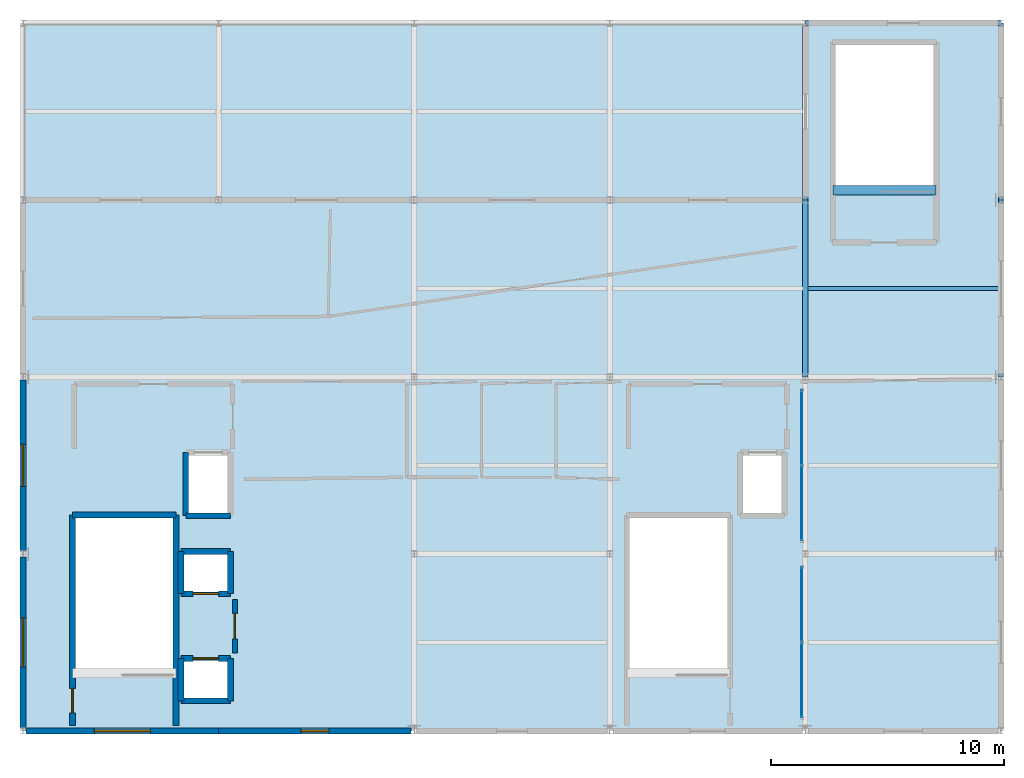
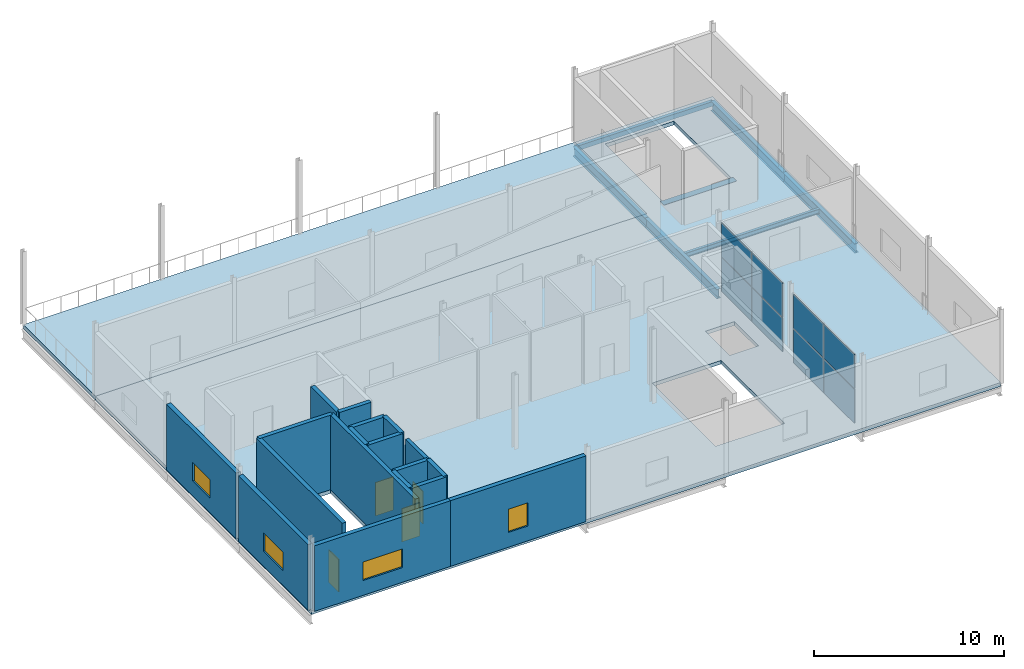
# One storey, part 5 of 8: 18 walls, 8 plates, 7 beams, 4 doors, 4 windows, 2 slabs, 8 openings, 2 elements without a shape of their own.
"""IFC4 building model written with IfcOpenShell, lengths in metres."""

import ifcopenshell
import ifcopenshell.guid

model = None  # the IFC model being written
_history = None  # IfcOwnerHistory: only IFC2X3 demands one
_inside = {}  # id of a spatial element -> (the spatial element, [elements in it])
_under = {}  # id of a project, library or spatial element -> (it, [spatial elements below it])
_declared = {}  # id of a project -> (the project, [libraries it declares])
_typed = {}  # id of a type object -> (the type object, [elements of that type])
_made_of = {}  # id of a material, layer set ... -> (it, [elements and type objects made of it])


def new_model(schema):
    """Start an empty IFC model of exactly this schema.

    Asked for "IFC4X3", IfcOpenShell would pick the latest addendum, in which some entities
    have other attributes; the version numbers below select the first issue.
    IFC2X3 requires an IfcOwnerHistory on every rooted entity: one is made here for all.
    """
    global model, _history
    if schema == "IFC4X3":
        model = ifcopenshell.file(schema_version=(4, 3, 0, 0))
    else:
        model = ifcopenshell.file(schema=schema)
    _inside.clear()
    _under.clear()
    _declared.clear()
    _typed.clear()
    _made_of.clear()
    _history = None
    if model.schema == "IFC2X3":
        org = make("IfcOrganization", Name="unknown")
        user = make(
            "IfcPersonAndOrganization",
            ThePerson=make("IfcPerson", FamilyName="unknown"),
            TheOrganization=org,
        )
        app = make(
            "IfcApplication",
            ApplicationDeveloper=org,
            Version="unknown",
            ApplicationFullName="unknown",
            ApplicationIdentifier="unknown",
        )
        _history = make(
            "IfcOwnerHistory",
            OwningUser=user,
            OwningApplication=app,
            ChangeAction="ADDED",
            CreationDate=0,
        )
    return model


def make(cls, **values):
    """One entity of the class cls with the attributes given. An attribute that is None is left unset."""
    return model.create_entity(
        cls, **{name: value for name, value in values.items() if value is not None}
    )


def rooted(cls, **values):
    """An entity with a GlobalId (a new one), such as an element, a storey or a relation."""
    return make(cls, GlobalId=ifcopenshell.guid.new(), OwnerHistory=_history, **values)


def si_unit(unit_type, name, prefix=None):
    """IfcSIUnit, for example si_unit("LENGTHUNIT", "METRE", prefix="MILLI")."""
    return make("IfcSIUnit", UnitType=unit_type, Prefix=prefix, Name=name)


def assignment(units):
    """IfcUnitAssignment: the units of a project."""
    return None if units is None else make("IfcUnitAssignment", Units=units)


def point(xyz):
    """IfcCartesianPoint."""
    return None if xyz is None else make("IfcCartesianPoint", Coordinates=xyz)


def direction(xyz):
    """IfcDirection."""
    return None if xyz is None else make("IfcDirection", DirectionRatios=xyz)


def frame(location, z_axis=None, x_axis=None):
    """IfcAxis2Placement3D, a coordinate frame: its origin and axes. An axis left out is left unset."""
    return make(
        "IfcAxis2Placement3D",
        Location=point(location),
        Axis=direction(z_axis),
        RefDirection=direction(x_axis),
    )


def frame_2d(location, x_axis=None):
    """IfcAxis2Placement2D, a coordinate frame in the plane: its origin and x axis."""
    return make(
        "IfcAxis2Placement2D", Location=point(location), RefDirection=direction(x_axis)
    )


def origin():
    """The frame at (0, 0, 0) with its axes left unset."""
    return frame((0.0, 0.0, 0.0))


def origin_2d():
    """The frame at (0, 0) in the plane with its x axis left unset."""
    return frame_2d((0.0, 0.0))


def place(relative_to, where):
    """IfcLocalPlacement: puts the frame where relative to a parent placement (None: the world)."""
    return make(
        "IfcLocalPlacement", PlacementRelTo=relative_to, RelativePlacement=where
    )


def context(
    kind, dimensions, precision=None, world=None, true_north=None, identifier=None
):
    """IfcGeometricRepresentationContext, for example the 3D "Model" context."""
    return make(
        "IfcGeometricRepresentationContext",
        ContextIdentifier=identifier,
        ContextType=kind,
        CoordinateSpaceDimension=dimensions,
        Precision=precision,
        WorldCoordinateSystem=world,
        TrueNorth=true_north,
    )


def subcontext(parent, identifier, kind, view, scale=None):
    """IfcGeometricRepresentationSubContext, for example "Body" below "Model"."""
    return make(
        "IfcGeometricRepresentationSubContext",
        ContextIdentifier=identifier,
        ContextType=kind,
        ParentContext=parent,
        TargetScale=scale,
        TargetView=view,
    )


def project(units=None, contexts=None):
    """IfcProject with its units and contexts."""
    return rooted(
        "IfcProject",
        Name="project",
        RepresentationContexts=contexts,
        UnitsInContext=assignment(units),
    )


def spatial(cls, under=None, at=None, **own):
    """A site, building, storey or space (cls), placed at a placement, below another one or the project."""
    s = rooted(cls, ObjectPlacement=at, **own)
    if under is not None:
        _under.setdefault(under.id(), (under, []))[1].append(s)
    return s


def polyline(points):
    """IfcPolyline through the points."""
    return make("IfcPolyline", Points=[point(p) for p in points])


def profile(cls, at=None, kind="AREA", **sizes):
    """A parametric profile (cls). Its sizes go by their IFC names, for example OverallWidth=200.0."""
    return make(cls, ProfileType=kind, Position=at, **sizes)


def rectangle(**sizes):
    """IfcRectangleProfileDef."""
    return profile("IfcRectangleProfileDef", **sizes)


def hollow_rectangle(**sizes):
    """IfcRectangleHollowProfileDef."""
    return profile("IfcRectangleHollowProfileDef", **sizes)


def i_section(**sizes):
    """IfcIShapeProfileDef."""
    return profile("IfcIShapeProfileDef", **sizes)


def outline(outer, holes=None, kind="AREA"):
    """IfcArbitraryClosedProfileDef: a profile drawn as a closed curve; with holes, ...WithVoids."""
    if holes is None:
        return make("IfcArbitraryClosedProfileDef", ProfileType=kind, OuterCurve=outer)
    return make(
        "IfcArbitraryProfileDefWithVoids",
        ProfileType=kind,
        OuterCurve=outer,
        InnerCurves=holes,
    )


def extrude(swept, where, along, depth):
    """IfcExtrudedAreaSolid: the profile swept, set in the frame where, extruded along a direction by depth."""
    return make(
        "IfcExtrudedAreaSolid",
        SweptArea=swept,
        Position=where,
        ExtrudedDirection=direction(along),
        Depth=depth,
    )


def shape(context_of_items, identifier, shape_type, items):
    """IfcShapeRepresentation: the items that make up one representation, for example the "Body"."""
    return make(
        "IfcShapeRepresentation",
        ContextOfItems=context_of_items,
        RepresentationIdentifier=identifier,
        RepresentationType=shape_type,
        Items=items,
    )


def material(Name=None, Category=None):
    """IfcMaterial."""
    return make("IfcMaterial", Name=Name, Category=Category)


def layer(
    of_material, thickness, ventilated=None, Name=None, Category=None, Priority=None
):
    """IfcMaterialLayer: one layer of a wall or slab, of a material (None: an air gap)."""
    return make(
        "IfcMaterialLayer",
        Material=of_material,
        LayerThickness=thickness,
        IsVentilated=ventilated,
        Name=Name,
        Category=Category,
        Priority=Priority,
    )


def layer_set(layers, Name=None):
    """IfcMaterialLayerSet."""
    return make("IfcMaterialLayerSet", MaterialLayers=layers, LayerSetName=Name)


def material_profile(
    of_material, cross_section, Name=None, Category=None, Priority=None
):
    """IfcMaterialProfile: a cross section and its material."""
    return make(
        "IfcMaterialProfile",
        Name=Name,
        Material=of_material,
        Profile=cross_section,
        Priority=Priority,
        Category=Category,
    )


def profile_set(profiles, Name=None, composite=None):
    """IfcMaterialProfileSet."""
    return make(
        "IfcMaterialProfileSet",
        Name=Name,
        MaterialProfiles=profiles,
        CompositeProfile=composite,
    )


def made_of(thing, what):
    """Note that an element or type object is made of a material, layer set ...; save() writes the relation."""
    if what is not None:
        _made_of.setdefault(what.id(), (what, []))[1].append(thing)
    return thing


def type_object(cls, material=None, **own):
    """A type object (cls), such as IfcWallType, which elements share."""
    return made_of(rooted(cls, **own), material)


def element(
    cls,
    number,
    at=None,
    inside=None,
    cuts=None,
    type_object=None,
    material=None,
    context=None,
    identifier="Body",
    shape_type=None,
    held_by="IfcProductDefinitionShape",
    body=None,
    shapes=None,
    **own,
):
    """One element of the class cls, such as IfcWall. Its Tag is "e" and its number.

    at: its placement. inside: the storey or other place that contains it. cuts: it is an
    opening in that element (IfcRelVoidsElement). A single representation is given by context,
    identifier, shape_type and body (its items); several are given by shapes. held_by: the class
    of the entity that holds the representations. save() writes the other relations.
    """
    e = rooted(cls, Tag="e%d" % number, ObjectPlacement=at, **own)
    if body is not None:
        shapes = [shape(context, identifier, shape_type, body)]
    if shapes is not None:
        e.Representation = make(held_by, Representations=shapes)
    if inside is not None:
        _inside.setdefault(inside.id(), (inside, []))[1].append(e)
    if cuts is not None:
        rooted(
            "IfcRelVoidsElement", RelatingBuildingElement=cuts, RelatedOpeningElement=e
        )
    if type_object is not None:
        _typed.setdefault(type_object.id(), (type_object, []))[1].append(e)
    return made_of(e, material)


def fill(opening, filler):
    """IfcRelFillsElement: the door or window that sits in an opening."""
    return rooted(
        "IfcRelFillsElement",
        RelatingOpeningElement=opening,
        RelatedBuildingElement=filler,
    )


def aggregate(whole, parts):
    """IfcRelAggregates: a whole, such as a stair, and the parts it consists of."""
    return rooted("IfcRelAggregates", RelatingObject=whole, RelatedObjects=parts)


def save(model, path):
    """Write the relations noted so far, then the file.

    IfcRelAggregates (storeys below a building ...), IfcRelContainedInSpatialStructure (elements
    in a storey), IfcRelDefinesByType, IfcRelAssociatesMaterial and IfcRelDeclares: one each for
    every whole, place, type object, material and project.
    """
    for whole, parts in _under.values():
        aggregate(whole, parts)
    for where, things in _inside.values():
        rooted(
            "IfcRelContainedInSpatialStructure",
            RelatedElements=things,
            RelatingStructure=where,
        )
    for kind, things in _typed.values():
        rooted("IfcRelDefinesByType", RelatedObjects=things, RelatingType=kind)
    for what, things in _made_of.values():
        rooted("IfcRelAssociatesMaterial", RelatedObjects=things, RelatingMaterial=what)
    for by, libraries in _declared.values():
        rooted("IfcRelDeclares", RelatingContext=by, RelatedDefinitions=libraries)
    model.write(path)


model = new_model("IFC4")

# Units and contexts
model_context = context("Model", 3, precision=1e-05, world=origin(), true_north=direction((0.0, 1.0)))
body_context = subcontext(model_context, "Body", "Model", "MODEL_VIEW")
ifc_project = project(units=[si_unit("LENGTHUNIT", "METRE"), si_unit("AREAUNIT", "SQUARE_METRE"), si_unit("VOLUMEUNIT", "CUBIC_METRE"), si_unit("PLANEANGLEUNIT", "RADIAN"), si_unit("MASSUNIT", "GRAM", prefix="KILO")], contexts=[model_context])

# Site, building, storey
site_placement = place(None, origin())
site = spatial("IfcSite", under=ifc_project, at=site_placement, CompositionType="ELEMENT")
building_placement = place(site_placement, origin())
building = spatial("IfcBuilding", under=site, at=building_placement, Name="Zuvorla Pavilion Media Centre", CompositionType="ELEMENT")
storey_placement = place(building_placement, frame((0.0, 0.0, 26.39990234375)))
storey = spatial("IfcBuildingStorey", under=building, at=storey_placement, Name="L06", CompositionType="ELEMENT", Elevation=26.39990234375)

# Beams
ifc_material_1 = material(Name="Concrete C40/50", Category="concrete")
ifc_material_profile_1 = material_profile(ifc_material_1, rectangle(XDim=0.39990234375, YDim=0.64990234375, at=origin_2d()), Name="RC 400x650")
ifc_profile_set_1 = profile_set([ifc_material_profile_1], Name="Concrete C40/50")
beam_type_1 = type_object("IfcBeamType", Name="BM-RC-650", PredefinedType="BEAM", material=ifc_profile_set_1)
beam_1_placement = place(storey_placement, frame((101.580078125, 29.219970703125, -0.323974609375), z_axis=(1.0, 0.0, 0.0), x_axis=(0.0, 1.0, 0.0)))
element("IfcBeam", 1, at=beam_1_placement, inside=storey, type_object=beam_type_1, Name="L06 ST-04 arrival trimmer beam", PredefinedType="BEAM", context=body_context, shape_type="SweptSolid", body=[
    extrude(rectangle(XDim=0.39990234375, YDim=0.64990234375, at=origin_2d()), origin(), (0.0, 0.0, 1.0), 4.43994140625),
])
ifc_material_2 = material(Name="Steel S355", Category="steel")
ifc_material_profile_2 = material_profile(ifc_material_2, hollow_rectangle(XDim=0.199951171875, YDim=0.300048828125, WallThickness=0.012451171875, at=origin_2d()), Name="RHS 300x200x12.5")
ifc_profile_set_2 = profile_set([ifc_material_profile_2], Name="Steel S355")
beam_type_2 = type_object("IfcBeamType", Name="BM-SP-RHS300", PredefinedType="SPANDREL", material=ifc_profile_set_2)
beam_2_placement = place(storey_placement, frame((100.39990234375, 36.39990234375, -0.39794921875), z_axis=(1.0, 0.0, 0.0), x_axis=(0.0, 1.0, 0.0)))
element("IfcBeam", 2, at=beam_2_placement, inside=storey, type_object=beam_type_2, Name="L06 spandrel SP01 1624", PredefinedType="SPANDREL", context=body_context, shape_type="SweptSolid", body=[
    extrude(hollow_rectangle(XDim=0.199951171875, YDim=0.300048828125, WallThickness=0.012451171875, at=origin_2d()), origin(), (0.0, 0.0, 1.0), 8.400146484375),
])
ifc_material_profile_3 = material_profile(ifc_material_2, i_section(OverallWidth=0.165771484375, OverallDepth=0.306640625, WebThickness=0.006591796875, FlangeThickness=0.01171875, FilletRadius=0.0087890625, at=origin_2d()), Name="UB 305x165x46")
ifc_profile_set_3 = profile_set([ifc_material_profile_3], Name="Steel S355")
beam_type_3 = type_object("IfcBeamType", Name="BM-UB305", PredefinedType="JOIST", material=ifc_profile_set_3)
beam_3_placement = place(storey_placement, frame((100.509521484375, 25.0, -0.401123046875), z_axis=(1.0, 0.0, 0.0), x_axis=(0.0, 1.0, 0.0)))
element("IfcBeam", 3, at=beam_3_placement, inside=storey, type_object=beam_type_3, Name="L06 joist J04 1656", PredefinedType="JOIST", context=body_context, shape_type="SweptSolid", body=[
    extrude(i_section(OverallWidth=0.165771484375, OverallDepth=0.306640625, WebThickness=0.006591796875, FlangeThickness=0.01171875, FilletRadius=0.0087890625, at=origin_2d()), origin(), (0.0, 0.0, 1.0), 8.180908203125),
])
ifc_material_profile_4 = material_profile(ifc_material_2, i_section(OverallWidth=0.22900390625, OverallDepth=0.6123046875, WebThickness=0.011962890625, FlangeThickness=0.01953125, FilletRadius=0.0126953125, at=origin_2d()), Name="UB 610x229x125")
ifc_profile_set_4 = profile_set([ifc_material_profile_4], Name="Steel S355")
beam_type_4 = type_object("IfcBeamType", Name="BM-UB610", PredefinedType="BEAM", material=ifc_profile_set_4)
beam_4_placement = place(storey_placement, frame((100.39990234375, 21.199951171875, -0.553955078125), z_axis=(0.0, 1.0, 0.0), x_axis=(-1.0, 0.0, 0.0)))
element("IfcBeam", 4, at=beam_4_placement, inside=storey, type_object=beam_type_4, Name="L06 beam B07 1640", PredefinedType="BEAM", context=body_context, shape_type="SweptSolid", body=[
    extrude(i_section(OverallWidth=0.22900390625, OverallDepth=0.6123046875, WebThickness=0.011962890625, FlangeThickness=0.01953125, FilletRadius=0.0126953125, at=origin_2d()), origin(), (0.0, 0.0, 1.0), 7.60009765625),
])
beam_5_placement = place(storey_placement, frame((100.39990234375, 28.800048828125, -0.553955078125), z_axis=(0.0, 1.0, 0.0), x_axis=(-1.0, 0.0, 0.0)))
element("IfcBeam", 5, at=beam_5_placement, inside=storey, type_object=beam_type_4, Name="L06 beam B07 1641", PredefinedType="BEAM", context=body_context, shape_type="SweptSolid", body=[
    extrude(i_section(OverallWidth=0.22900390625, OverallDepth=0.6123046875, WebThickness=0.011962890625, FlangeThickness=0.01953125, FilletRadius=0.0126953125, at=origin_2d()), origin(), (0.0, 0.0, 1.0), 7.599853515625),
])
beam_6_placement = place(storey_placement, frame((108.800048828125, 21.199951171875, -0.553955078125), z_axis=(0.0, 1.0, 0.0), x_axis=(-1.0, 0.0, 0.0)))
element("IfcBeam", 6, at=beam_6_placement, inside=storey, type_object=beam_type_4, Name="L06 beam B07 1644", PredefinedType="BEAM", context=body_context, shape_type="SweptSolid", body=[
    extrude(i_section(OverallWidth=0.22900390625, OverallDepth=0.6123046875, WebThickness=0.011962890625, FlangeThickness=0.01953125, FilletRadius=0.0126953125, at=origin_2d()), origin(), (0.0, 0.0, 1.0), 7.60009765625),
])
beam_7_placement = place(storey_placement, frame((108.800048828125, 28.800048828125, -0.553955078125), z_axis=(0.0, 1.0, 0.0), x_axis=(-1.0, 0.0, 0.0)))
element("IfcBeam", 7, at=beam_7_placement, inside=storey, type_object=beam_type_4, Name="L06 beam B07 1645", PredefinedType="BEAM", context=body_context, shape_type="SweptSolid", body=[
    extrude(i_section(OverallWidth=0.22900390625, OverallDepth=0.6123046875, WebThickness=0.011962890625, FlangeThickness=0.01953125, FilletRadius=0.0126953125, at=origin_2d()), origin(), (0.0, 0.0, 1.0), 7.599853515625),
])

# Curtain wall, plates
ifc_material_3 = material(Name="Unitised anodised aluminium and solar glass curtain wall", Category="aluminium")
curtain_wall_type = type_object("IfcCurtainWallType", Name="CW-SYS-87", PredefinedType="USERDEFINED", material=ifc_material_3)
curtain_wall_1_placement = place(storey_placement, origin())
curtain_wall_1 = element("IfcCurtainWall", 8, at=curtain_wall_1_placement, inside=storey, type_object=curtain_wall_type, Name="L06 curtain wall CW87 198", ObjectType="CURTAIN WALL", PredefinedType="USERDEFINED")
ifc_material_4 = material(Name="Triple acoustic broadcast glazing", Category="glass")
ifc_layer_1 = layer(ifc_material_4, 0.0419921875)
ifc_layer_set_1 = layer_set([ifc_layer_1], Name="Triple acoustic broadcast glazing")
plate_type = type_object("IfcPlateType", Name="CW-PNL-42", PredefinedType="CURTAIN_PANEL", material=ifc_layer_set_1)
plate_1_placement = place(storey_placement, frame((100.239990234375, 8.174560546875, 0.0302734375), z_axis=(0.0, 0.0, 1.0), x_axis=(0.0, 1.0, 0.0)))
plate_1 = element("IfcPlate", 9, at=plate_1_placement, type_object=plate_type, Name="CW87 panel 1.1", PredefinedType="CURTAIN_PANEL", context=body_context, shape_type="SweptSolid", body=[
    extrude(rectangle(XDim=3.19091796875, YDim=0.0419921875, at=origin_2d()), origin(), (0.0, 0.0, 1.0), 2.179931640625),
])
plate_2_placement = place(storey_placement, frame((100.239990234375, 8.174560546875, 2.27001953125), z_axis=(0.0, 0.0, 1.0), x_axis=(0.0, 1.0, 0.0)))
plate_2 = element("IfcPlate", 10, at=plate_2_placement, type_object=plate_type, Name="CW87 panel 1.2", PredefinedType="CURTAIN_PANEL", context=body_context, shape_type="SweptSolid", body=[
    extrude(rectangle(XDim=3.19091796875, YDim=0.0419921875, at=origin_2d()), origin(), (0.0, 0.0, 1.0), 2.179931640625),
])
plate_3_placement = place(storey_placement, frame((100.239990234375, 11.425537109375, 0.0302734375), z_axis=(0.0, 0.0, 1.0), x_axis=(0.0, 1.0, 0.0)))
plate_3 = element("IfcPlate", 11, at=plate_3_placement, type_object=plate_type, Name="CW87 panel 2.1", PredefinedType="CURTAIN_PANEL", context=body_context, shape_type="SweptSolid", body=[
    extrude(rectangle(XDim=3.19091796875, YDim=0.0419921875, at=origin_2d()), origin(), (0.0, 0.0, 1.0), 2.179931640625),
])
plate_4_placement = place(storey_placement, frame((100.239990234375, 11.425537109375, 2.27001953125), z_axis=(0.0, 0.0, 1.0), x_axis=(0.0, 1.0, 0.0)))
plate_4 = element("IfcPlate", 12, at=plate_4_placement, type_object=plate_type, Name="CW87 panel 2.2", PredefinedType="CURTAIN_PANEL", context=body_context, shape_type="SweptSolid", body=[
    extrude(rectangle(XDim=3.19091796875, YDim=0.0419921875, at=origin_2d()), origin(), (0.0, 0.0, 1.0), 2.179931640625),
])
aggregate(curtain_wall_1, [plate_1, plate_2, plate_3, plate_4])

curtain_wall_2_placement = place(storey_placement, origin())
curtain_wall_2 = element("IfcCurtainWall", 13, at=curtain_wall_2_placement, inside=storey, type_object=curtain_wall_type, Name="L06 curtain wall CW87 199", ObjectType="CURTAIN WALL", PredefinedType="USERDEFINED")
plate_5_placement = place(storey_placement, frame((100.239990234375, 15.7744140625, 0.0302734375), z_axis=(0.0, 0.0, 1.0), x_axis=(0.0, 1.0, 0.0)))
plate_5 = element("IfcPlate", 14, at=plate_5_placement, type_object=plate_type, Name="CW87 panel 1.1", PredefinedType="CURTAIN_PANEL", context=body_context, shape_type="SweptSolid", body=[
    extrude(rectangle(XDim=3.19091796875, YDim=0.0419921875, at=origin_2d()), origin(), (0.0, 0.0, 1.0), 2.179931640625),
])
plate_6_placement = place(storey_placement, frame((100.239990234375, 15.7744140625, 2.27001953125), z_axis=(0.0, 0.0, 1.0), x_axis=(0.0, 1.0, 0.0)))
plate_6 = element("IfcPlate", 15, at=plate_6_placement, type_object=plate_type, Name="CW87 panel 1.2", PredefinedType="CURTAIN_PANEL", context=body_context, shape_type="SweptSolid", body=[
    extrude(rectangle(XDim=3.19091796875, YDim=0.0419921875, at=origin_2d()), origin(), (0.0, 0.0, 1.0), 2.179931640625),
])
plate_7_placement = place(storey_placement, frame((100.239990234375, 19.025390625, 0.0302734375), z_axis=(0.0, 0.0, 1.0), x_axis=(0.0, 1.0, 0.0)))
plate_7 = element("IfcPlate", 16, at=plate_7_placement, type_object=plate_type, Name="CW87 panel 2.1", PredefinedType="CURTAIN_PANEL", context=body_context, shape_type="SweptSolid", body=[
    extrude(rectangle(XDim=3.19091796875, YDim=0.0419921875, at=origin_2d()), origin(), (0.0, 0.0, 1.0), 2.179931640625),
])
plate_8_placement = place(storey_placement, frame((100.239990234375, 19.025390625, 2.27001953125), z_axis=(0.0, 0.0, 1.0), x_axis=(0.0, 1.0, 0.0)))
plate_8 = element("IfcPlate", 17, at=plate_8_placement, type_object=plate_type, Name="CW87 panel 2.2", PredefinedType="CURTAIN_PANEL", context=body_context, shape_type="SweptSolid", body=[
    extrude(rectangle(XDim=3.19091796875, YDim=0.0419921875, at=origin_2d()), origin(), (0.0, 0.0, 1.0), 2.179931640625),
])
aggregate(curtain_wall_2, [plate_5, plate_6, plate_7, plate_8])

# Slabs
ifc_material_5 = material(Name="Precast concrete C40/50", Category="concrete")
ifc_layer_2 = layer(ifc_material_5, 0.239990234375)
ifc_layer_set_2 = layer_set([ifc_layer_2], Name="Precast concrete C40/50")
slab_type_1 = type_object("IfcSlabType", Name="SLB-DECK-240", PredefinedType="FLOOR", material=ifc_layer_set_2)
slab_1_placement = place(storey_placement, frame((0.0, 0.0, -0.239990234375)))
element("IfcSlab", 18, at=slab_1_placement, inside=storey, type_object=slab_type_1, Name="L06 floor slab TERR", PredefinedType="FLOOR", context=body_context, shape_type="SweptSolid", body=[
    extrude(outline(polyline([(100.39990234375, 28.800048828125), (100.39990234375, 36.39990234375), (66.800048828125, 36.39990234375), (66.800048828125, 28.800048828125), (100.39990234375, 28.800048828125)])), origin(), (0.0, 0.0, 1.0), 0.239990234375),
])
ifc_material_6 = material(Name="Concrete C32/40", Category="concrete")
ifc_layer_3 = layer(ifc_material_6, 0.239990234375)
ifc_layer_set_3 = layer_set([ifc_layer_3], Name="Concrete C32/40")
slab_type_2 = type_object("IfcSlabType", Name="SLB-FLR-240", PredefinedType="FLOOR", material=ifc_layer_set_3)
slab_2_placement = place(storey_placement, frame((0.0, 0.0, -0.239990234375)))
element("IfcSlab", 19, at=slab_2_placement, inside=storey, type_object=slab_type_2, Name="L06 floor slab PAV", PredefinedType="FLOOR", context=body_context, shape_type="SweptSolid", body=[
    extrude(outline(polyline([(108.800048828125, 6.0), (66.800048828125, 6.0), (66.800048828125, 28.800048828125), (100.39990234375, 28.800048828125), (100.39990234375, 36.39990234375), (108.800048828125, 36.39990234375), (108.800048828125, 6.0)]), holes=[polyline([(73.669921875, 7.3701171875), (75.6298828125, 7.3701171875), (75.6298828125, 9.030029296875), (73.669921875, 9.030029296875), (73.669921875, 7.3701171875)]), polyline([(69.050048828125, 15.14990234375), (69.050048828125, 8.449951171875), (73.25, 8.449951171875), (73.25, 15.14990234375), (69.050048828125, 15.14990234375)]), polyline([(92.85009765625, 15.14990234375), (92.85009765625, 8.449951171875), (97.050048828125, 8.449951171875), (97.050048828125, 15.14990234375), (92.85009765625, 15.14990234375)]), polyline([(73.669921875, 13.6298828125), (73.669921875, 11.969970703125), (75.6298828125, 11.969970703125), (75.6298828125, 13.6298828125), (73.669921875, 13.6298828125)]), polyline([(73.8701171875, 17.8798828125), (73.8701171875, 15.320068359375), (75.6298828125, 15.320068359375), (75.6298828125, 17.8798828125), (73.8701171875, 17.8798828125)]), polyline([(97.669921875, 17.8798828125), (97.669921875, 15.320068359375), (99.429931640625, 15.320068359375), (99.429931640625, 17.8798828125), (97.669921875, 17.8798828125)]), polyline([(101.699951171875, 35.449951171875), (101.699951171875, 29.199951171875), (105.89990234375, 29.199951171875), (105.89990234375, 35.449951171875), (101.699951171875, 35.449951171875)])]), origin(), (0.0, 0.0, 1.0), 0.239990234375),
])

# Wall, opening, door
ifc_material_7 = material(Name="Acoustic masonry blockwork C32/40", Category="masonry")
ifc_layer_4 = layer(ifc_material_7, 0.219970703125)
ifc_layer_set_4 = layer_set([ifc_layer_4], Name="Acoustic masonry blockwork C32/40")
wall_type_1 = type_object("IfcWallType", Name="WL-CMP-220", PredefinedType="SOLIDWALL", material=ifc_layer_set_4)
wall_1_placement = place(storey_placement, frame((75.89990234375, 9.35009765625, 0.0), z_axis=(0.0, 0.0, 1.0), x_axis=(0.0, 1.0, 0.0)))
wall_1 = element("IfcWall", 20, at=wall_1_placement, inside=storey, type_object=wall_type_1, Name="L06 solid wall IW22 60", PredefinedType="SOLIDWALL", context=body_context, shape_type="SweptSolid", body=[
    extrude(rectangle(XDim=2.2998046875, YDim=0.219970703125, at=frame_2d((1.14990234375, 0.0))), origin(), (0.0, 0.0, 1.0), 4.47998046875),
])
opening_1_placement = place(wall_1_placement, frame((0.60009765625, 0.0, 0.0)))
opening_1 = element("IfcOpeningElement", 21, at=opening_1_placement, cuts=wall_1, Name="Opening FD05", PredefinedType="OPENING", context=body_context, shape_type="SweptSolid", body=[
    extrude(rectangle(XDim=1.10009765625, YDim=2.10009765625, at=frame_2d((0.550048828125, 1.050048828125))), frame((0.0, 0.119873046875, 0.0), z_axis=(0.0, -1.0, 0.0), x_axis=(1.0, 0.0, 0.0)), (0.0, 0.0, 1.0), 0.239990234375),
])
ifc_material_8 = material(Name="Acoustic timber fire door leaf in steel frame", Category="steel")
door_type_1 = type_object("IfcDoorType", Name="DR-INT-FD05", OperationType="NOTDEFINED", PredefinedType="DOOR", material=ifc_material_8)
door_1_placement = place(opening_1_placement, origin())
door_1 = element("IfcDoor", 22, at=door_1_placement, inside=storey, type_object=door_type_1, Name="Lift lobby 1 door FD05 32", OperationType="SINGLE_SWING_RIGHT", OverallHeight=2.10009765625, OverallWidth=1.10009765625, PredefinedType="DOOR", context=body_context, shape_type="SweptSolid", body=[
    extrude(rectangle(XDim=1.10009765625, YDim=2.10009765625, at=frame_2d((0.550048828125, 1.050048828125))), frame((0.0, 0.02490234375, 0.0), z_axis=(0.0, -1.0, 0.0), x_axis=(1.0, 0.0, 0.0)), (0.0, 0.0, 1.0), 0.050048828125),
])
fill(opening_1, door_1)

ifc_layer_5 = layer(ifc_material_1, 0.25)
ifc_layer_set_5 = layer_set([ifc_layer_5], Name="Concrete C40/50")
wall_type_2 = type_object("IfcWallType", Name="WL-COR-250", PredefinedType="SHEAR", material=ifc_layer_set_5)
wall_2_placement = place(storey_placement, frame((68.925048828125, 6.22509765625, 0.0), z_axis=(0.0, 0.0, 1.0), x_axis=(0.0, 1.0, 0.0)))
wall_2 = element("IfcWall", 23, at=wall_2_placement, inside=storey, type_object=wall_type_2, Name="L06 shear wall CW25 54", PredefinedType="SHEAR", context=body_context, shape_type="SweptSolid", body=[
    extrude(rectangle(XDim=9.0498046875, YDim=0.25, at=frame_2d((4.52490234375, 0.0))), origin(), (0.0, 0.0, 1.0), 4.800048828125),
])
opening_2_placement = place(wall_2_placement, frame((0.550048828125, 0.0, 0.0)))
opening_2 = element("IfcOpeningElement", 24, at=opening_2_placement, cuts=wall_2, Name="Opening FD04", PredefinedType="OPENING", context=body_context, shape_type="SweptSolid", body=[
    extrude(rectangle(XDim=1.050048828125, YDim=2.10009765625, at=frame_2d((0.52490234375, 1.050048828125))), frame((0.0, 0.135009765625, 0.0), z_axis=(0.0, -1.0, 0.0), x_axis=(1.0, 0.0, 0.0)), (0.0, 0.0, 1.0), 0.27001953125),
])
door_type_2 = type_object("IfcDoorType", Name="DR-INT-FD04", OperationType="NOTDEFINED", PredefinedType="DOOR", material=ifc_material_8)
door_2_placement = place(opening_2_placement, origin())
door_2 = element("IfcDoor", 25, at=door_2_placement, inside=storey, type_object=door_type_2, Name="Stair ST-01 fire door FD04 29", OperationType="SINGLE_SWING_LEFT", OverallHeight=2.10009765625, OverallWidth=1.050048828125, PredefinedType="DOOR", context=body_context, shape_type="SweptSolid", body=[
    extrude(rectangle(XDim=1.050048828125, YDim=2.10009765625, at=frame_2d((0.52490234375, 1.050048828125))), frame((0.0, 0.02490234375, 0.0), z_axis=(0.0, -1.0, 0.0), x_axis=(1.0, 0.0, 0.0)), (0.0, 0.0, 1.0), 0.050048828125),
])
fill(opening_2, door_2)

# Walls
wall_3_placement = place(storey_placement, frame((73.375, 6.22509765625, 0.0), z_axis=(0.0, 0.0, 1.0), x_axis=(0.0, 1.0, 0.0)))
element("IfcWall", 26, at=wall_3_placement, inside=storey, type_object=wall_type_2, Name="L06 shear wall CW25 55", PredefinedType="SHEAR", context=body_context, shape_type="SweptSolid", body=[
    extrude(rectangle(XDim=9.0498046875, YDim=0.25, at=frame_2d((4.52490234375, 0.0))), origin(), (0.0, 0.0, 1.0), 4.800048828125),
])
wall_4_placement = place(storey_placement, frame((68.925048828125, 15.27490234375, 0.0), z_axis=(0.0, 0.0, 1.0), x_axis=(1.0, 0.0, 0.0)))
element("IfcWall", 27, at=wall_4_placement, inside=storey, type_object=wall_type_2, Name="L06 shear wall CW25 56", PredefinedType="SHEAR", context=body_context, shape_type="SweptSolid", body=[
    extrude(rectangle(XDim=4.449951171875, YDim=0.25, at=frame_2d((2.22509765625, 0.0))), origin(), (0.0, 0.0, 1.0), 4.800048828125),
])
wall_5_placement = place(storey_placement, frame((73.590087890625, 7.2900390625, 0.0), z_axis=(0.0, 0.0, 1.0), x_axis=(1.0, 0.0, 0.0)))
element("IfcWall", 28, at=wall_5_placement, inside=storey, type_object=wall_type_2, Name="L06 shear wall CW25 89", PredefinedType="SHEAR", context=body_context, shape_type="SweptSolid", body=[
    extrude(rectangle(XDim=2.119873046875, YDim=0.25, at=frame_2d((1.06005859375, 0.0))), origin(), (0.0, 0.0, 1.0), 4.800048828125),
])

# Wall, opening, door
wall_6_placement = place(storey_placement, frame((73.590087890625, 9.110107421875, 0.0), z_axis=(0.0, 0.0, 1.0), x_axis=(1.0, 0.0, 0.0)))
wall_6 = element("IfcWall", 29, at=wall_6_placement, inside=storey, type_object=wall_type_2, Name="L06 shear wall CW25 90", PredefinedType="SHEAR", context=body_context, shape_type="SweptSolid", body=[
    extrude(rectangle(XDim=2.119873046875, YDim=0.25, at=frame_2d((1.06005859375, 0.0))), origin(), (0.0, 0.0, 1.0), 4.800048828125),
])
opening_3_placement = place(wall_6_placement, frame((0.510009765625, 0.0, 0.0)))
opening_3 = element("IfcOpeningElement", 30, at=opening_3_placement, cuts=wall_6, Name="Opening LD01", PredefinedType="OPENING", context=body_context, shape_type="SweptSolid", body=[
    extrude(rectangle(XDim=1.10009765625, YDim=2.14990234375, at=frame_2d((0.550048828125, 1.074951171875))), frame((0.0, 0.135009765625, 0.0), z_axis=(0.0, -1.0, 0.0), x_axis=(1.0, 0.0, 0.0)), (0.0, 0.0, 1.0), 0.27001953125),
])
ifc_material_9 = material(Name="Brushed stainless steel sliding lift landing door", Category="steel")
door_type_3 = type_object("IfcDoorType", Name="DR-LFT-LD01", OperationType="SLIDING_TO_LEFT", PredefinedType="DOOR", material=ifc_material_9)
door_3_placement = place(opening_3_placement, origin())
door_3 = element("IfcDoor", 31, at=door_3_placement, inside=storey, type_object=door_type_3, Name="Lift LF-01 landing door LD01 40", OperationType="SLIDING_TO_LEFT", OverallHeight=2.14990234375, OverallWidth=1.10009765625, PredefinedType="DOOR", context=body_context, shape_type="SweptSolid", body=[
    extrude(rectangle(XDim=1.10009765625, YDim=2.14990234375, at=frame_2d((0.550048828125, 1.074951171875))), frame((0.0, 0.02490234375, 0.0), z_axis=(0.0, -1.0, 0.0), x_axis=(1.0, 0.0, 0.0)), (0.0, 0.0, 1.0), 0.050048828125),
])
fill(opening_3, door_3)

# Walls
for number, where, z_axis, x_axis, name in (
    (32, (73.590087890625, 7.2900390625, 0.0), (0.0, 0.0, 1.0), (0.0, 1.0, 0.0), "L06 shear wall CW25 91"),
    (33, (75.7099609375, 7.2900390625, 0.0), (0.0, 0.0, 1.0), (0.0, 1.0, 0.0), "L06 shear wall CW25 92"),
):
    element("IfcWall", number, at=place(storey_placement, frame(where, z_axis=z_axis, x_axis=x_axis)), inside=storey, type_object=wall_type_2, Name=name, PredefinedType="SHEAR", context=body_context, shape_type="SweptSolid", body=[
        extrude(rectangle(XDim=1.820068359375, YDim=0.25, at=frame_2d((0.91015625, 0.0))), origin(), (0.0, 0.0, 1.0), 4.800048828125),
    ])

# Wall, opening, door
wall_7_placement = place(storey_placement, frame((73.590087890625, 11.889892578125, 0.0), z_axis=(0.0, 0.0, 1.0), x_axis=(1.0, 0.0, 0.0)))
wall_7 = element("IfcWall", 34, at=wall_7_placement, inside=storey, type_object=wall_type_2, Name="L06 shear wall CW25 121", PredefinedType="SHEAR", context=body_context, shape_type="SweptSolid", body=[
    extrude(rectangle(XDim=2.119873046875, YDim=0.25, at=frame_2d((1.06005859375, 0.0))), origin(), (0.0, 0.0, 1.0), 4.800048828125),
])
opening_4_placement = place(wall_7_placement, frame((0.510009765625, 0.0, 0.0)))
opening_4 = element("IfcOpeningElement", 35, at=opening_4_placement, cuts=wall_7, Name="Opening LD01", PredefinedType="OPENING", context=body_context, shape_type="SweptSolid", body=[
    extrude(rectangle(XDim=1.10009765625, YDim=2.14990234375, at=frame_2d((0.550048828125, 1.074951171875))), frame((0.0, 0.135009765625, 0.0), z_axis=(0.0, -1.0, 0.0), x_axis=(1.0, 0.0, 0.0)), (0.0, 0.0, 1.0), 0.27001953125),
])
door_4_placement = place(opening_4_placement, origin())
door_4 = element("IfcDoor", 36, at=door_4_placement, inside=storey, type_object=door_type_3, Name="Lift LF-02 landing door LD01 48", OperationType="SLIDING_TO_LEFT", OverallHeight=2.14990234375, OverallWidth=1.10009765625, PredefinedType="DOOR", context=body_context, shape_type="SweptSolid", body=[
    extrude(rectangle(XDim=1.10009765625, YDim=2.14990234375, at=frame_2d((0.550048828125, 1.074951171875))), frame((0.0, 0.02490234375, 0.0), z_axis=(0.0, -1.0, 0.0), x_axis=(1.0, 0.0, 0.0)), (0.0, 0.0, 1.0), 0.050048828125),
])
fill(opening_4, door_4)

# Walls
wall_8_placement = place(storey_placement, frame((73.590087890625, 13.7099609375, 0.0), z_axis=(0.0, 0.0, 1.0), x_axis=(1.0, 0.0, 0.0)))
element("IfcWall", 37, at=wall_8_placement, inside=storey, type_object=wall_type_2, Name="L06 shear wall CW25 122", PredefinedType="SHEAR", context=body_context, shape_type="SweptSolid", body=[
    extrude(rectangle(XDim=2.119873046875, YDim=0.25, at=frame_2d((1.06005859375, 0.0))), origin(), (0.0, 0.0, 1.0), 4.800048828125),
])
for number, where, z_axis, x_axis, name in (
    (38, (73.590087890625, 11.889892578125, 0.0), (0.0, 0.0, 1.0), (0.0, 1.0, 0.0), "L06 shear wall CW25 123"),
    (39, (75.7099609375, 11.889892578125, 0.0), (0.0, 0.0, 1.0), (0.0, 1.0, 0.0), "L06 shear wall CW25 124"),
):
    element("IfcWall", number, at=place(storey_placement, frame(where, z_axis=z_axis, x_axis=x_axis)), inside=storey, type_object=wall_type_2, Name=name, PredefinedType="SHEAR", context=body_context, shape_type="SweptSolid", body=[
        extrude(rectangle(XDim=1.820068359375, YDim=0.25, at=frame_2d((0.91015625, 0.0))), origin(), (0.0, 0.0, 1.0), 4.800048828125),
    ])
wall_9_placement = place(storey_placement, frame((73.7900390625, 15.239990234375, 0.0), z_axis=(0.0, 0.0, 1.0), x_axis=(1.0, 0.0, 0.0)))
element("IfcWall", 40, at=wall_9_placement, inside=storey, type_object=wall_type_2, Name="L06 shear wall CW25 153", PredefinedType="SHEAR", context=body_context, shape_type="SweptSolid", body=[
    extrude(rectangle(XDim=1.919921875, YDim=0.25, at=frame_2d((0.9599609375, 0.0))), origin(), (0.0, 0.0, 1.0), 4.800048828125),
])
wall_10_placement = place(storey_placement, frame((73.7900390625, 15.239990234375, 0.0), z_axis=(0.0, 0.0, 1.0), x_axis=(0.0, 1.0, 0.0)))
element("IfcWall", 41, at=wall_10_placement, inside=storey, type_object=wall_type_2, Name="L06 shear wall CW25 155", PredefinedType="SHEAR", context=body_context, shape_type="SweptSolid", body=[
    extrude(rectangle(XDim=2.719970703125, YDim=0.25, at=frame_2d((1.35986328125, 0.0))), origin(), (0.0, 0.0, 1.0), 4.800048828125),
])

# Wall, opening, window
ifc_material_10 = material(Name="White rendered concrete C32/40", Category="concrete")
ifc_layer_6 = layer(ifc_material_10, 0.260009765625)
ifc_layer_set_6 = layer_set([ifc_layer_6], Name="White rendered concrete C32/40")
wall_type_3 = type_object("IfcWallType", Name="WL-EXT-260", PredefinedType="SOLIDWALL", material=ifc_layer_set_6)
wall_11_placement = place(storey_placement, frame((66.800048828125, 21.06982421875, 0.0), z_axis=(0.0, 0.0, 1.0), x_axis=(0.0, -1.0, 0.0)))
wall_11 = element("IfcWall", 42, at=wall_11_placement, inside=storey, type_object=wall_type_3, Name="L06 exterior solid wall EW04 318", PredefinedType="SOLIDWALL", context=body_context, shape_type="SweptSolid", body=[
    extrude(rectangle(XDim=7.339599609375, YDim=0.260009765625, at=frame_2d((3.669921875, 0.0))), origin(), (0.0, 0.0, 1.0), 4.226806640625),
])
opening_5_placement = place(wall_11_placement, frame((2.769775390625, 0.0, 0.949951171875)))
opening_5 = element("IfcOpeningElement", 43, at=opening_5_placement, cuts=wall_11, Name="Opening WN26", PredefinedType="OPENING", context=body_context, shape_type="SweptSolid", body=[
    extrude(rectangle(XDim=1.800048828125, YDim=1.199951171875, at=frame_2d((0.89990234375, 0.60009765625))), frame((0.0, 0.139892578125, 0.0), z_axis=(0.0, -1.0, 0.0), x_axis=(1.0, 0.0, 0.0)), (0.0, 0.0, 1.0), 0.280029296875),
])
ifc_material_11 = material(Name="Anodised aluminium frame with solar double glazing", Category="aluminium")
window_type_1 = type_object("IfcWindowType", Name="WIN-WN26", PartitioningType="DOUBLE_PANEL_VERTICAL", PredefinedType="WINDOW", material=ifc_material_11)
window_1_placement = place(opening_5_placement, origin())
window_1 = element("IfcWindow", 44, at=window_1_placement, inside=storey, type_object=window_type_1, Name="L06 window WN26 138", OverallHeight=1.199951171875, OverallWidth=1.800048828125, PartitioningType="DOUBLE_PANEL_VERTICAL", PredefinedType="WINDOW", context=body_context, shape_type="SweptSolid", body=[
    extrude(rectangle(XDim=1.800048828125, YDim=1.199951171875, at=frame_2d((0.89990234375, 0.60009765625))), frame((0.0, 0.030029296875, 0.0), z_axis=(0.0, -1.0, 0.0), x_axis=(1.0, 0.0, 0.0)), (0.0, 0.0, 1.0), 0.06005859375),
])
fill(opening_5, window_1)

wall_12_placement = place(storey_placement, frame((66.800048828125, 13.4697265625, 0.0), z_axis=(0.0, 0.0, 1.0), x_axis=(0.0, -1.0, 0.0)))
wall_12 = element("IfcWall", 45, at=wall_12_placement, inside=storey, type_object=wall_type_3, Name="L06 exterior solid wall EW04 319", PredefinedType="SOLIDWALL", context=body_context, shape_type="SweptSolid", body=[
    extrude(rectangle(XDim=7.339599609375, YDim=0.260009765625, at=frame_2d((3.669921875, 0.0))), origin(), (0.0, 0.0, 1.0), 4.226806640625),
])
opening_6_placement = place(wall_12_placement, frame((2.619873046875, 0.0, 0.949951171875)))
opening_6 = element("IfcOpeningElement", 46, at=opening_6_placement, cuts=wall_12, Name="Opening WN27", PredefinedType="OPENING", context=body_context, shape_type="SweptSolid", body=[
    extrude(rectangle(XDim=2.10009765625, YDim=1.199951171875, at=frame_2d((1.050048828125, 0.60009765625))), frame((0.0, 0.139892578125, 0.0), z_axis=(0.0, -1.0, 0.0), x_axis=(1.0, 0.0, 0.0)), (0.0, 0.0, 1.0), 0.280029296875),
])
window_type_2 = type_object("IfcWindowType", Name="WIN-WN27", PartitioningType="DOUBLE_PANEL_VERTICAL", PredefinedType="WINDOW", material=ifc_material_11)
window_2_placement = place(opening_6_placement, origin())
window_2 = element("IfcWindow", 47, at=window_2_placement, inside=storey, type_object=window_type_2, Name="L06 window WN27 139", OverallHeight=1.199951171875, OverallWidth=2.10009765625, PartitioningType="DOUBLE_PANEL_VERTICAL", PredefinedType="WINDOW", context=body_context, shape_type="SweptSolid", body=[
    extrude(rectangle(XDim=2.10009765625, YDim=1.199951171875, at=frame_2d((1.050048828125, 0.60009765625))), frame((0.0, 0.030029296875, 0.0), z_axis=(0.0, -1.0, 0.0), x_axis=(1.0, 0.0, 0.0)), (0.0, 0.0, 1.0), 0.06005859375),
])
fill(opening_6, window_2)

wall_13_placement = place(storey_placement, frame((66.92822265625, 6.0, 0.0), z_axis=(0.0, 0.0, 1.0), x_axis=(1.0, 0.0, 0.0)))
wall_13 = element("IfcWall", 48, at=wall_13_placement, inside=storey, type_object=wall_type_3, Name="L06 exterior solid wall EW04 320", PredefinedType="SOLIDWALL", context=body_context, shape_type="SweptSolid", body=[
    extrude(rectangle(XDim=8.271728515625, YDim=0.260009765625, at=frame_2d((4.1357421875, 0.0))), origin(), (0.0, 0.0, 1.0), 4.226806640625),
])
opening_7_placement = place(wall_13_placement, frame((2.935791015625, 0.0, 0.949951171875)))
opening_7 = element("IfcOpeningElement", 49, at=opening_7_placement, cuts=wall_13, Name="Opening WN28", PredefinedType="OPENING", context=body_context, shape_type="SweptSolid", body=[
    extrude(rectangle(XDim=2.39990234375, YDim=1.199951171875, at=frame_2d((1.199951171875, 0.60009765625))), frame((0.0, 0.139892578125, 0.0), z_axis=(0.0, -1.0, 0.0), x_axis=(1.0, 0.0, 0.0)), (0.0, 0.0, 1.0), 0.280029296875),
])
window_type_3 = type_object("IfcWindowType", Name="WIN-WN28", PartitioningType="DOUBLE_PANEL_VERTICAL", PredefinedType="WINDOW", material=ifc_material_11)
window_3_placement = place(opening_7_placement, origin())
window_3 = element("IfcWindow", 50, at=window_3_placement, inside=storey, type_object=window_type_3, Name="L06 window WN28 140", OverallHeight=1.199951171875, OverallWidth=2.39990234375, PartitioningType="DOUBLE_PANEL_VERTICAL", PredefinedType="WINDOW", context=body_context, shape_type="SweptSolid", body=[
    extrude(rectangle(XDim=2.39990234375, YDim=1.199951171875, at=frame_2d((1.199951171875, 0.60009765625))), frame((0.0, 0.030029296875, 0.0), z_axis=(0.0, -1.0, 0.0), x_axis=(1.0, 0.0, 0.0)), (0.0, 0.0, 1.0), 0.06005859375),
])
fill(opening_7, window_3)

wall_14_placement = place(storey_placement, frame((75.199951171875, 6.0, 0.0), z_axis=(0.0, 0.0, 1.0), x_axis=(1.0, 0.0, 0.0)))
wall_14 = element("IfcWall", 51, at=wall_14_placement, inside=storey, type_object=wall_type_3, Name="L06 exterior solid wall EW04 321", PredefinedType="SOLIDWALL", context=body_context, shape_type="SweptSolid", body=[
    extrude(rectangle(XDim=8.271728515625, YDim=0.260009765625, at=frame_2d((4.1357421875, 0.0))), origin(), (0.0, 0.0, 1.0), 4.226806640625),
])
opening_8_placement = place(wall_14_placement, frame((3.535888671875, 0.0, 0.949951171875)))
opening_8 = element("IfcOpeningElement", 52, at=opening_8_placement, cuts=wall_14, Name="Opening WN01", PredefinedType="OPENING", context=body_context, shape_type="SweptSolid", body=[
    extrude(rectangle(XDim=1.199951171875, YDim=1.5, at=frame_2d((0.60009765625, 0.75))), frame((0.0, 0.139892578125, 0.0), z_axis=(0.0, -1.0, 0.0), x_axis=(1.0, 0.0, 0.0)), (0.0, 0.0, 1.0), 0.280029296875),
])
window_type_4 = type_object("IfcWindowType", Name="WIN-WN01", PartitioningType="SINGLE_PANEL", PredefinedType="WINDOW", material=ifc_material_11)
window_4_placement = place(opening_8_placement, origin())
window_4 = element("IfcWindow", 53, at=window_4_placement, inside=storey, type_object=window_type_4, Name="L06 window WN01 141", OverallHeight=1.5, OverallWidth=1.199951171875, PartitioningType="SINGLE_PANEL", PredefinedType="WINDOW", context=body_context, shape_type="SweptSolid", body=[
    extrude(rectangle(XDim=1.199951171875, YDim=1.5, at=frame_2d((0.60009765625, 0.75))), frame((0.0, 0.030029296875, 0.0), z_axis=(0.0, -1.0, 0.0), x_axis=(1.0, 0.0, 0.0)), (0.0, 0.0, 1.0), 0.06005859375),
])
fill(opening_8, window_4)

save(model, "model.ifc")
